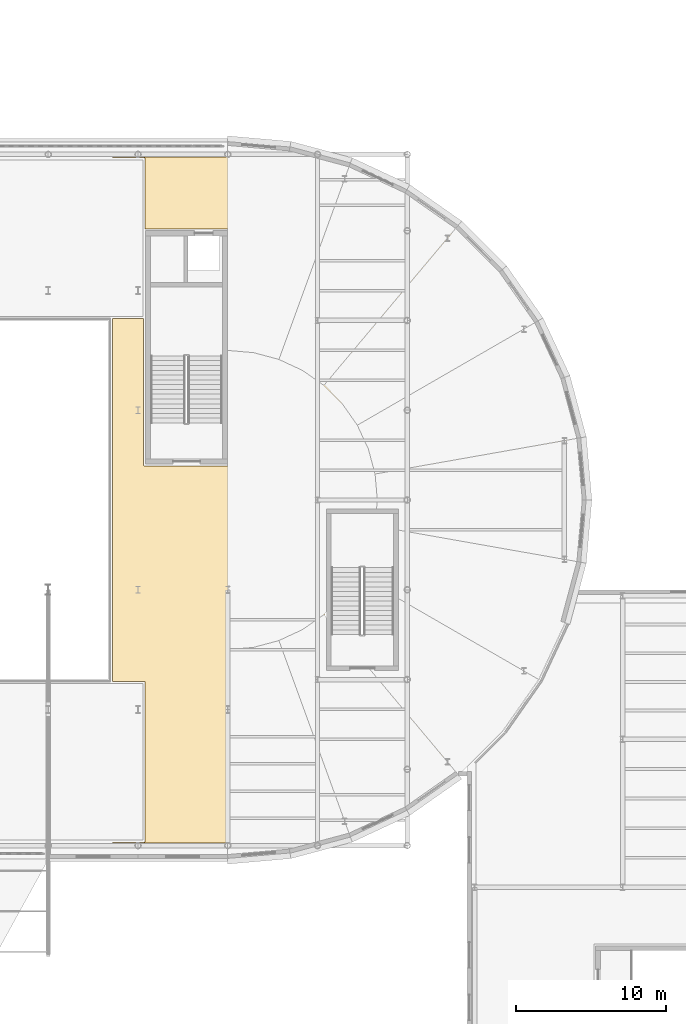
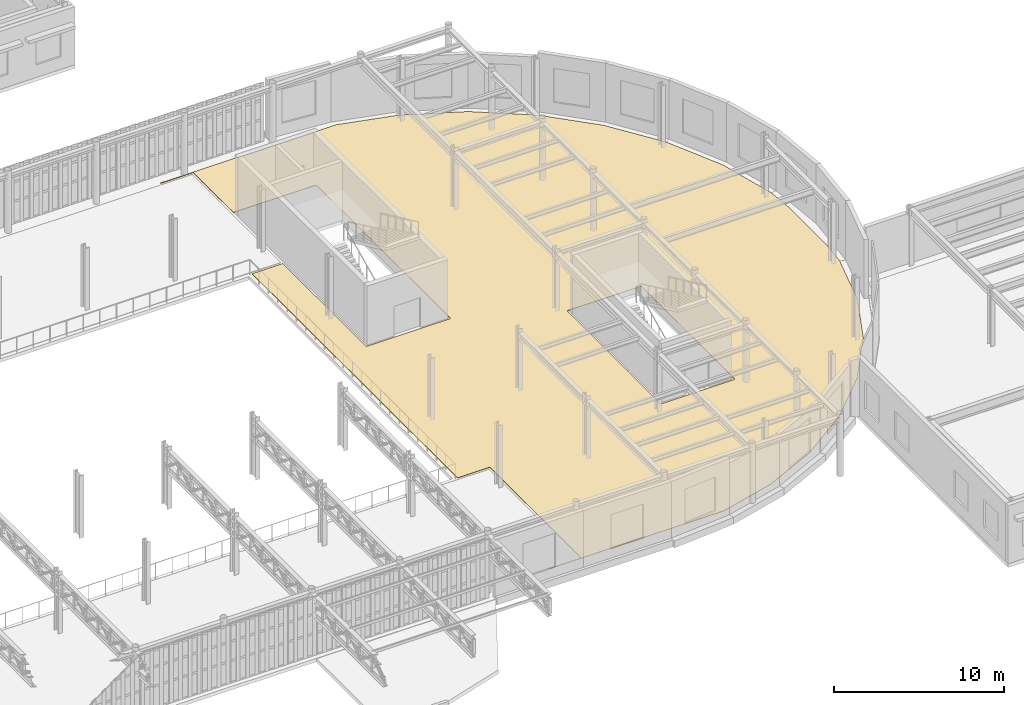
# One storey, part 83 of 91: 1 covering.
"""IFC4 building model written with IfcOpenShell, lengths in metres."""

from ifc_helpers import new_model, si_unit, direction, frame, origin, place, context, subcontext, project, spatial, polyline, outline, extrude, material, layer, layer_set, type_object, element, save


model = new_model("IFC4")

# Units and contexts
model_context = context("Model", 3, precision=1e-05, world=origin(), true_north=direction((0.0, 1.0)))
body_context = subcontext(model_context, "Body", "Model", "MODEL_VIEW")
ifc_project = project(units=[si_unit("LENGTHUNIT", "METRE"), si_unit("AREAUNIT", "SQUARE_METRE"), si_unit("VOLUMEUNIT", "CUBIC_METRE"), si_unit("PLANEANGLEUNIT", "RADIAN"), si_unit("MASSUNIT", "GRAM", prefix="KILO")], contexts=[model_context])

# Site, building, storey
site_placement = place(None, origin())
site = spatial("IfcSite", under=ifc_project, at=site_placement, CompositionType="ELEMENT")
building_placement = place(site_placement, origin())
building = spatial("IfcBuilding", under=site, at=building_placement, Name="Kolvaren Corner Interchange", CompositionType="ELEMENT")
storey_placement = place(building_placement, frame((0.0, 0.0, 6.0)))
storey = spatial("IfcBuildingStorey", under=building, at=storey_placement, Name="L02", CompositionType="ELEMENT", Elevation=6.0)

# Covering
ifc_material = material(Name="Polished Niger Delta Granite Terrazzo Flooring", Category="masonry")
ifc_layer = layer(ifc_material, 0.030029296875)
ifc_layer_set = layer_set([ifc_layer], Name="Polished Niger Delta Granite Terrazzo Flooring")
covering_type = type_object("IfcCoveringType", Name="COV-FLR-TER30", PredefinedType="FLOORING", material=ifc_layer_set)
covering_placement = place(storey_placement, origin())
element("IfcCovering", 1, at=covering_placement, inside=storey, type_object=covering_type, Name="L02 East Curved Waiting Hall Floor Finish", PredefinedType="FLOORING", context=body_context, shape_type="SweptSolid", body=[
    extrude(outline(polyline([(114.3701171875, 60.1201171875), (112.280029296875, 60.1201171875), (112.280029296875, 35.8798828125), (114.39990234375, 35.8798828125), (114.45068359375, 35.86181640625), (114.478515625, 35.815673828125), (114.4794921875, 25.192138671875), (114.45654296875, 25.143310546875), (114.40771484375, 25.120361328125), (112.280029296875, 25.1201171875), (112.280029296875, 25.080078125), (124.218994140625, 25.080078125), (127.975830078125, 26.086669921875), (131.659912109375, 27.804443359375), (134.989501953125, 30.135986328125), (137.864013671875, 33.010498046875), (140.195556640625, 36.340087890625), (141.913330078125, 40.024169921875), (142.96533203125, 43.950439453125), (143.1201171875, 45.717529296875), (143.1201171875, 50.282470703125), (142.96533203125, 52.049560546875), (141.913330078125, 55.975830078125), (140.195556640625, 59.659912109375), (137.864013671875, 62.989501953125), (134.989501953125, 65.864013671875), (131.659912109375, 68.195556640625), (127.975830078125, 69.913330078125), (124.218994140625, 70.919921875), (112.280029296875, 70.919921875), (112.280029296875, 70.8798828125), (114.39990234375, 70.8798828125), (114.4443359375, 70.866455078125), (114.473876953125, 70.83056640625), (114.47998046875, 66.1298828125), (120.050048828125, 66.1298828125), (120.094482421875, 66.116455078125), (120.123779296875, 66.08056640625), (120.1298828125, 50.35009765625), (120.087646484375, 50.279296875), (114.449951171875, 50.27001953125), (114.37939453125, 50.312255859375), (114.3701171875, 60.1201171875)]), holes=[polyline([(126.493408203125, 36.493408203125), (126.469970703125, 36.550048828125), (126.47607421875, 47.480712890625), (126.505615234375, 47.5166015625), (126.550048828125, 47.530029296875), (131.480712890625, 47.52392578125), (131.5166015625, 47.494384765625), (131.530029296875, 47.449951171875), (131.52392578125, 36.519287109375), (131.494384765625, 36.4833984375), (131.449951171875, 36.469970703125), (126.550048828125, 36.469970703125), (126.493408203125, 36.493408203125)])]), origin(), (0.0, 0.0, 1.0), 0.030029296875),
])

save(model, "model.ifc")
